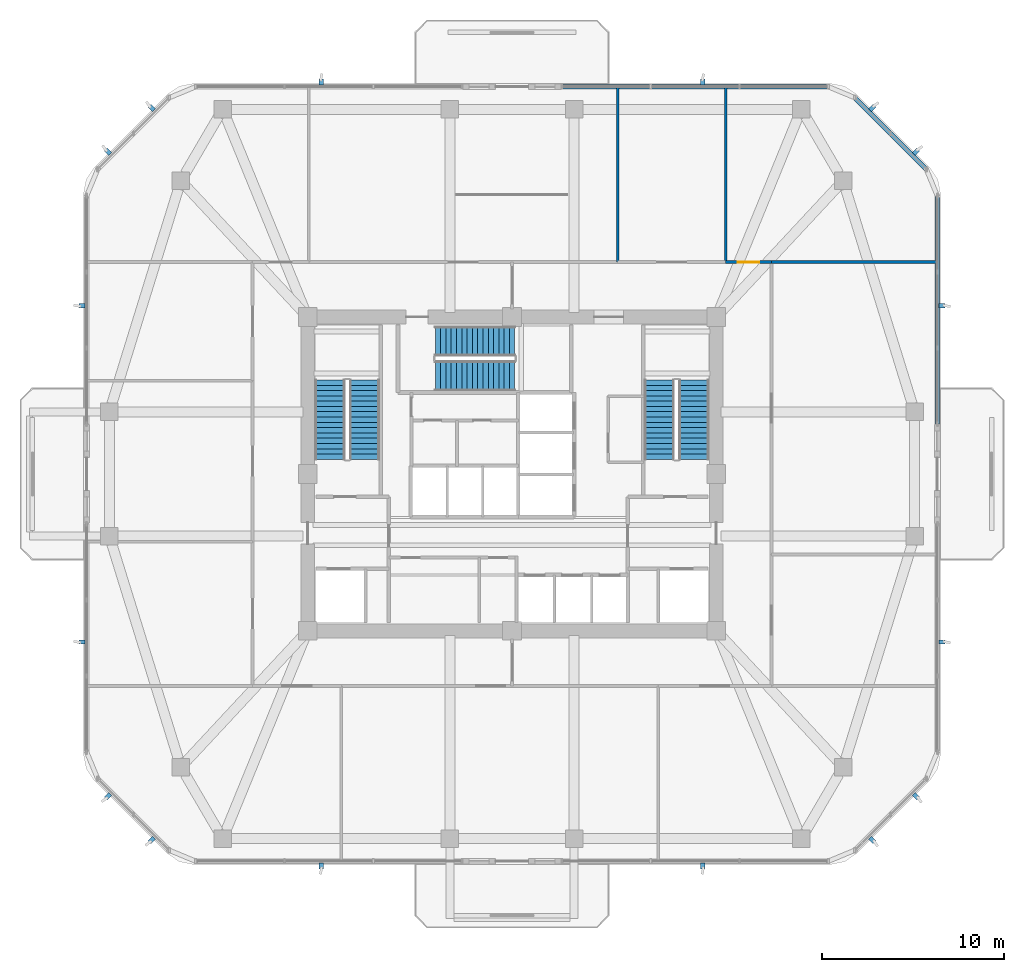
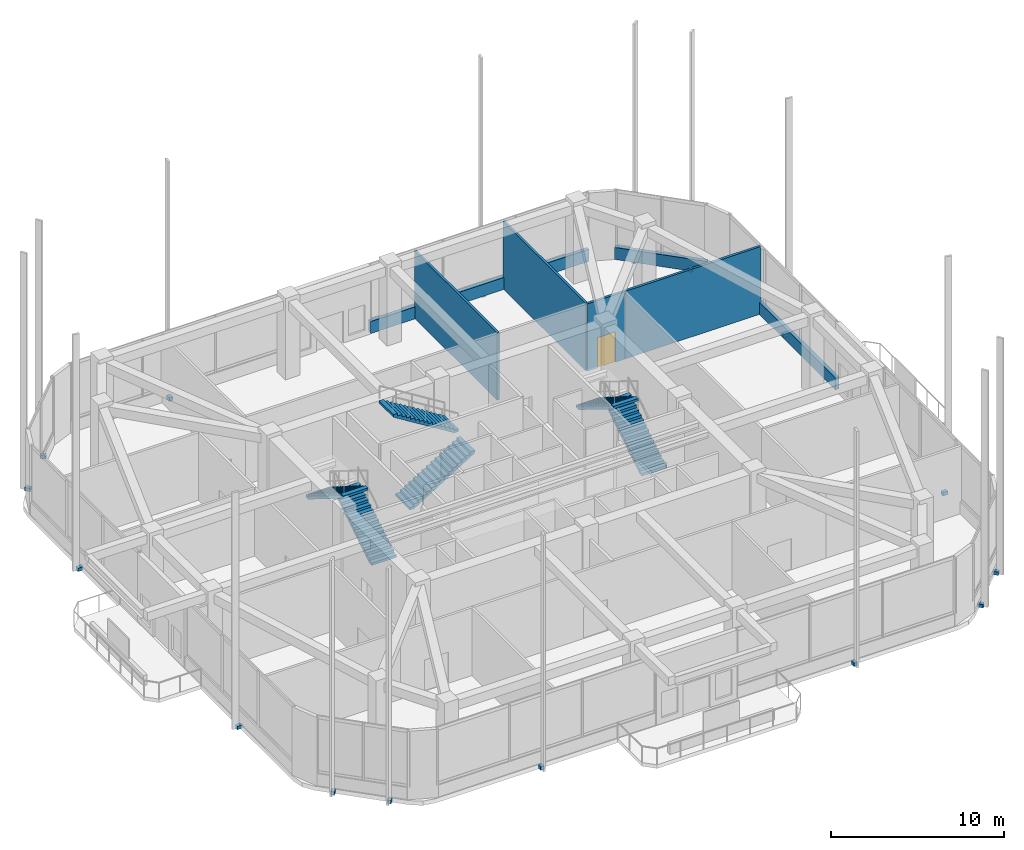
# One storey, part 9 of 12: 16 discrete accessories, 7 walls, 6 stair flights, 1 door, 1 opening, 3 elements without a shape of their own.
"""IFC4 building model written with IfcOpenShell, lengths in metres."""

from ifc_helpers import new_model, si_unit, derived_unit, direction, frame, frame_2d, origin, origin_2d, place, context, subcontext, project, spatial, polyline, rectangle, outline, extrude, material, layer, layer_set, type_object, element, fill, aggregate, save


model = new_model("IFC4")

# Units and contexts
model_context = context("Model", 3, precision=1e-05, world=origin(), true_north=direction((0.0, 1.0)))
body_context = subcontext(model_context, "Body", "Model", "MODEL_VIEW")
ifc_project = project(units=[si_unit("LENGTHUNIT", "METRE"), si_unit("AREAUNIT", "SQUARE_METRE"), si_unit("VOLUMEUNIT", "CUBIC_METRE"), si_unit("PLANEANGLEUNIT", "RADIAN"), si_unit("MASSUNIT", "GRAM", prefix="KILO"), derived_unit("THERMALTRANSMITTANCEUNIT", [(si_unit("POWERUNIT", "WATT"), 1), (si_unit("LENGTHUNIT", "METRE"), -2), (si_unit("THERMODYNAMICTEMPERATUREUNIT", "KELVIN"), -1)])], contexts=[model_context])

# Site, building, storey
site_placement = place(None, origin())
site = spatial("IfcSite", under=ifc_project, at=site_placement, CompositionType="ELEMENT")
building_placement = place(site_placement, origin())
building = spatial("IfcBuilding", under=site, at=building_placement, Name="Koralith Skygarden Medical Center", CompositionType="ELEMENT")
storey_placement = place(building_placement, frame((0.0, 0.0, 129.06005859375)))
storey = spatial("IfcBuildingStorey", under=building, at=storey_placement, Name="L33", CompositionType="ELEMENT", Elevation=129.06005859375)

# Walls
ifc_material_1 = material(Name="Gypsum Board Partition")
ifc_layer_1 = layer(ifc_material_1, 0.14990234375)
ifc_layer_set_1 = layer_set([ifc_layer_1], Name="Gypsum Board Partition")
wall_type_1 = type_object("IfcWallType", Name="Clinical Acoustic Partition 150", PredefinedType="PARTITIONING", material=ifc_layer_set_1)
for number, where, z_axis, x_axis, name in (
    (1, (42.7890625, 37.510009765625, 0.0), (0.0, 0.0, 1.0), (0.0, 1.0, 0.0), "L33 Clinical Acoustic Partition 150 W-AMPART-L33-N-2"),
    (2, (48.7099609375, 37.510009765625, 0.0), (0.0, 0.0, 1.0), (0.0, 1.0, 0.0), "L33 Clinical Acoustic Partition 150 W-AMPART-L33-N-3"),
):
    element("IfcWall", number, at=place(storey_placement, frame(where, z_axis=z_axis, x_axis=x_axis)), inside=storey, type_object=wall_type_1, Name=name, PredefinedType="PARTITIONING", context=body_context, shape_type="SweptSolid", body=[
        extrude(rectangle(XDim=9.590087890625, YDim=0.14990234375, at=frame_2d((4.794921875, 0.0))), origin(), (0.0, 0.0, 1.0), 4.77001953125),
    ])
ifc_layer_2 = layer(ifc_material_1, 0.1650390625)
ifc_layer_set_2 = layer_set([ifc_layer_2], Name="Gypsum Board Partition")
wall_type_2 = type_object("IfcWallType", Name="Clinical Corridor Partition 165", PredefinedType="PARTITIONING", material=ifc_layer_set_2)
wall_1_placement = place(storey_placement, frame((51.2099609375, 37.510009765625, 0.0), z_axis=(0.0, 0.0, 1.0), x_axis=(1.0, 0.0, 0.0)))
element("IfcWall", 3, at=wall_1_placement, inside=storey, type_object=wall_type_2, Name="L33 Clinical Corridor Partition 165 W-WB-L33-NE", PredefinedType="PARTITIONING", context=body_context, shape_type="SweptSolid", body=[
    extrude(rectangle(XDim=9.073974609375, YDim=0.1650390625, at=frame_2d((4.537109375, 0.0))), origin(), (0.0, 0.0, 1.0), 4.77001953125),
])

# Wall, opening, door
wall_2_placement = place(storey_placement, frame((48.7099609375, 37.510009765625, 0.0), z_axis=(0.0, 0.0, 1.0), x_axis=(1.0, 0.0, 0.0)))
wall_2 = element("IfcWall", 4, at=wall_2_placement, inside=storey, type_object=wall_type_2, Name="L33 Clinical Corridor Partition 165 W-AMCOR-L33-N-4", PredefinedType="PARTITIONING", context=body_context, shape_type="SweptSolid", body=[
    extrude(rectangle(XDim=2.5, YDim=0.1650390625, at=frame_2d((1.25, 0.0))), origin(), (0.0, 0.0, 1.0), 4.77001953125),
])
opening_placement = place(wall_2_placement, frame((0.64990234375, 0.0, 0.0)))
opening = element("IfcOpeningElement", 5, at=opening_placement, cuts=wall_2, Name="Opening D-CLN", PredefinedType="OPENING", context=body_context, shape_type="SweptSolid", body=[
    extrude(rectangle(XDim=1.199951171875, YDim=2.14990234375, at=frame_2d((0.60009765625, 1.074951171875))), frame((0.0, 0.092529296875, 0.0), z_axis=(0.0, -1.0, 0.0), x_axis=(1.0, 0.0, 0.0)), (0.0, 0.0, 1.0), 0.18505859375),
])
ifc_material_2 = material(Name="Aluminium 6063-T6", Category="aluminium")
door_type = type_object("IfcDoorType", Name="Clinical Corridor Door D-CLN 1200", OperationType="NOTDEFINED", PredefinedType="DOOR", material=ifc_material_2)
door_placement = place(opening_placement, origin())
door = element("IfcDoor", 6, at=door_placement, inside=storey, type_object=door_type, Name="L33 Hospitality Refreshment Pantry Door", OperationType="SINGLE_SWING_LEFT", OverallHeight=2.14990234375, OverallWidth=1.199951171875, PredefinedType="DOOR", context=body_context, shape_type="SweptSolid", body=[
    extrude(rectangle(XDim=1.199951171875, YDim=2.14990234375, at=frame_2d((0.60009765625, 1.074951171875))), frame((0.0, 0.02490234375, 0.0), z_axis=(0.0, -1.0, 0.0), x_axis=(1.0, 0.0, 0.0)), (0.0, 0.0, 1.0), 0.050048828125),
])
fill(opening, door)

# Walls
ifc_material_3 = material(Name="Warm Oolitic Limestone Cladding", Category="masonry")
ifc_layer_3 = layer(ifc_material_3, 0.239990234375)
ifc_layer_set_3 = layer_set([ifc_layer_3], Name="Warm Oolitic Limestone Cladding")
wall_type_3 = type_object("IfcWallType", Name="Limestone Spandrel Sill Backup Wall 240", PredefinedType="SOLIDWALL", material=ifc_layer_set_3)
wall_3_placement = place(storey_placement, frame((60.303955078125, 28.638916015625, 0.0), z_axis=(0.0, 0.0, 1.0), x_axis=(0.0, 1.0, 0.0)))
element("IfcWall", 7, at=wall_3_placement, inside=storey, type_object=wall_type_3, Name="L33 Sill Spandrel E-R", PredefinedType="SOLIDWALL", context=body_context, shape_type="SweptSolid", body=[
    extrude(rectangle(XDim=12.506103515625, YDim=0.239990234375, at=frame_2d((6.2529296875, 0.0))), origin(), (0.0, 0.0, 1.0), 0.849853515625),
])
wall_4_placement = place(storey_placement, frame((59.702880859375, 42.595947265625, 0.0), z_axis=(0.0, 0.0, 1.0), x_axis=(-0.707084777957, 0.707128783731, 0.0)))
element("IfcWall", 8, at=wall_4_placement, inside=storey, type_object=wall_type_3, Name="L33 Sill Spandrel NE", PredefinedType="SOLIDWALL", context=body_context, shape_type="SweptSolid", body=[
    extrude(rectangle(XDim=5.5478515625, YDim=0.239990234375, at=frame_2d((2.77392578125, 0.0))), origin(), (0.0, 0.0, 1.0), 0.849853515625),
])
wall_5_placement = place(storey_placement, frame((54.3291015625, 47.1201171875, 0.0), z_axis=(0.0, 0.0, 1.0), x_axis=(-1.0, 0.0, 0.0)))
element("IfcWall", 9, at=wall_5_placement, inside=storey, type_object=wall_type_3, Name="L33 Sill Spandrel N-L", PredefinedType="SOLIDWALL", context=body_context, shape_type="SweptSolid", body=[
    extrude(rectangle(XDim=14.588134765625, YDim=0.239990234375, at=frame_2d((7.2939453125, 0.0))), origin(), (0.0, 0.0, 1.0), 0.849853515625),
])

# Stair, stair flights
ifc_material_4 = material(Name="Concrete C45/55", Category="concrete")
stair_type = type_object("IfcStairType", Name="Core Exit Dogleg Concrete Stair", PredefinedType="HALF_TURN_STAIR", material=ifc_material_4)
stair_1_placement = place(storey_placement, origin())
stair_1 = element("IfcStair", 10, at=stair_1_placement, inside=storey, type_object=stair_type, Name="L33 Smokeproof Exit Stair ST1", PredefinedType="HALF_TURN_STAIR")
stair_flight_type = type_object("IfcStairFlightType", Name="Core Exit Concrete Stair Flight 1650", PredefinedType="STRAIGHT", material=ifc_material_4)
stair_flight_1_placement = place(storey_placement, frame((28.925048828125, 26.699951171875, 0.0), z_axis=(0.0, 0.0, 1.0), x_axis=(0.0, 1.0, 0.0)))
stair_flight_1 = element("IfcStairFlight", 11, at=stair_flight_1_placement, type_object=stair_flight_type, Name="ST1 flight 1", NumberOfRisers=16, NumberOfTreads=15, PredefinedType="STRAIGHT", RiserHeight=0.18, TreadLength=0.29, context=body_context, shape_type="SweptSolid", body=[
    extrude(outline(polyline([(0.0, 0.0), (0.0, 0.179931640625), (0.2900390625, 0.179931640625), (0.2900390625, 0.360107421875), (0.580078125, 0.360107421875), (0.580078125, 0.5400390625), (0.8701171875, 0.5400390625), (0.8701171875, 0.719970703125), (1.159912109375, 0.719970703125), (1.159912109375, 0.89990234375), (1.449951171875, 0.89990234375), (1.449951171875, 1.080078125), (1.739990234375, 1.080078125), (1.739990234375, 1.260009765625), (2.030029296875, 1.260009765625), (2.030029296875, 1.43994140625), (2.320068359375, 1.43994140625), (2.320068359375, 1.6201171875), (2.610107421875, 1.6201171875), (2.610107421875, 1.800048828125), (2.89990234375, 1.800048828125), (2.89990234375, 1.97998046875), (3.18994140625, 1.97998046875), (3.18994140625, 2.159912109375), (3.47998046875, 2.159912109375), (3.47998046875, 2.340087890625), (3.77001953125, 2.340087890625), (3.77001953125, 2.52001953125), (4.06005859375, 2.52001953125), (4.06005859375, 2.699951171875), (4.35009765625, 2.699951171875), (4.35009765625, 2.8798828125), (4.35009765625, 2.523681640625), (0.2841796875, 0.0), (0.0, 0.0)])), frame((0.0, 0.824951171875, 0.0), z_axis=(0.0, -1.0, 0.0), x_axis=(1.0, 0.0, 0.0)), (0.0, 0.0, 1.0), 1.64990234375),
])
stair_flight_2_placement = place(storey_placement, frame((27.02490234375, 31.050048828125, 2.8798828125), z_axis=(0.0, 0.0, 1.0), x_axis=(0.0, -1.0, 0.0)))
stair_flight_2 = element("IfcStairFlight", 12, at=stair_flight_2_placement, type_object=stair_flight_type, Name="ST1 flight 2", NumberOfRisers=16, NumberOfTreads=15, PredefinedType="STRAIGHT", RiserHeight=0.18, TreadLength=0.29, context=body_context, shape_type="SweptSolid", body=[
    extrude(outline(polyline([(0.0, 0.0), (0.0, 0.179931640625), (0.2900390625, 0.179931640625), (0.2900390625, 0.360107421875), (0.580078125, 0.360107421875), (0.580078125, 0.5400390625), (0.8701171875, 0.5400390625), (0.8701171875, 0.719970703125), (1.159912109375, 0.719970703125), (1.159912109375, 0.89990234375), (1.449951171875, 0.89990234375), (1.449951171875, 1.080078125), (1.739990234375, 1.080078125), (1.739990234375, 1.260009765625), (2.030029296875, 1.260009765625), (2.030029296875, 1.43994140625), (2.320068359375, 1.43994140625), (2.320068359375, 1.6201171875), (2.610107421875, 1.6201171875), (2.610107421875, 1.800048828125), (2.89990234375, 1.800048828125), (2.89990234375, 1.97998046875), (3.18994140625, 1.97998046875), (3.18994140625, 2.159912109375), (3.47998046875, 2.159912109375), (3.47998046875, 2.340087890625), (3.77001953125, 2.340087890625), (3.77001953125, 2.52001953125), (4.06005859375, 2.52001953125), (4.06005859375, 2.699951171875), (4.35009765625, 2.699951171875), (4.35009765625, 2.8798828125), (4.35009765625, 2.523681640625), (0.2841796875, 0.0), (0.0, 0.0)])), frame((0.0, 0.824951171875, 0.0), z_axis=(0.0, -1.0, 0.0), x_axis=(1.0, 0.0, 0.0)), (0.0, 0.0, 1.0), 1.64990234375),
])
aggregate(stair_1, [stair_flight_1, stair_flight_2])

stair_2_placement = place(storey_placement, origin())
stair_2 = element("IfcStair", 13, at=stair_2_placement, inside=storey, type_object=stair_type, Name="L33 Smokeproof Exit Stair ST2", PredefinedType="HALF_TURN_STAIR")
stair_flight_3_placement = place(storey_placement, frame((46.97509765625, 26.699951171875, 0.0), z_axis=(0.0, 0.0, 1.0), x_axis=(0.0, 1.0, 0.0)))
stair_flight_3 = element("IfcStairFlight", 14, at=stair_flight_3_placement, type_object=stair_flight_type, Name="ST2 flight 1", NumberOfRisers=16, NumberOfTreads=15, PredefinedType="STRAIGHT", RiserHeight=0.18, TreadLength=0.29, context=body_context, shape_type="SweptSolid", body=[
    extrude(outline(polyline([(0.0, 0.0), (0.0, 0.179931640625), (0.2900390625, 0.179931640625), (0.2900390625, 0.360107421875), (0.580078125, 0.360107421875), (0.580078125, 0.5400390625), (0.8701171875, 0.5400390625), (0.8701171875, 0.719970703125), (1.159912109375, 0.719970703125), (1.159912109375, 0.89990234375), (1.449951171875, 0.89990234375), (1.449951171875, 1.080078125), (1.739990234375, 1.080078125), (1.739990234375, 1.260009765625), (2.030029296875, 1.260009765625), (2.030029296875, 1.43994140625), (2.320068359375, 1.43994140625), (2.320068359375, 1.6201171875), (2.610107421875, 1.6201171875), (2.610107421875, 1.800048828125), (2.89990234375, 1.800048828125), (2.89990234375, 1.97998046875), (3.18994140625, 1.97998046875), (3.18994140625, 2.159912109375), (3.47998046875, 2.159912109375), (3.47998046875, 2.340087890625), (3.77001953125, 2.340087890625), (3.77001953125, 2.52001953125), (4.06005859375, 2.52001953125), (4.06005859375, 2.699951171875), (4.35009765625, 2.699951171875), (4.35009765625, 2.8798828125), (4.35009765625, 2.523681640625), (0.2841796875, 0.0), (0.0, 0.0)])), frame((0.0, 0.824951171875, 0.0), z_axis=(0.0, -1.0, 0.0), x_axis=(1.0, 0.0, 0.0)), (0.0, 0.0, 1.0), 1.64990234375),
])
stair_flight_4_placement = place(storey_placement, frame((45.074951171875, 31.050048828125, 2.8798828125), z_axis=(0.0, 0.0, 1.0), x_axis=(0.0, -1.0, 0.0)))
stair_flight_4 = element("IfcStairFlight", 15, at=stair_flight_4_placement, type_object=stair_flight_type, Name="ST2 flight 2", NumberOfRisers=16, NumberOfTreads=15, PredefinedType="STRAIGHT", RiserHeight=0.18, TreadLength=0.29, context=body_context, shape_type="SweptSolid", body=[
    extrude(outline(polyline([(0.0, 0.0), (0.0, 0.179931640625), (0.2900390625, 0.179931640625), (0.2900390625, 0.360107421875), (0.580078125, 0.360107421875), (0.580078125, 0.5400390625), (0.8701171875, 0.5400390625), (0.8701171875, 0.719970703125), (1.159912109375, 0.719970703125), (1.159912109375, 0.89990234375), (1.449951171875, 0.89990234375), (1.449951171875, 1.080078125), (1.739990234375, 1.080078125), (1.739990234375, 1.260009765625), (2.030029296875, 1.260009765625), (2.030029296875, 1.43994140625), (2.320068359375, 1.43994140625), (2.320068359375, 1.6201171875), (2.610107421875, 1.6201171875), (2.610107421875, 1.800048828125), (2.89990234375, 1.800048828125), (2.89990234375, 1.97998046875), (3.18994140625, 1.97998046875), (3.18994140625, 2.159912109375), (3.47998046875, 2.159912109375), (3.47998046875, 2.340087890625), (3.77001953125, 2.340087890625), (3.77001953125, 2.52001953125), (4.06005859375, 2.52001953125), (4.06005859375, 2.699951171875), (4.35009765625, 2.699951171875), (4.35009765625, 2.8798828125), (4.35009765625, 2.523681640625), (0.2841796875, 0.0), (0.0, 0.0)])), frame((0.0, 0.824951171875, 0.0), z_axis=(0.0, -1.0, 0.0), x_axis=(1.0, 0.0, 0.0)), (0.0, 0.0, 1.0), 1.64990234375),
])
aggregate(stair_2, [stair_flight_3, stair_flight_4])

stair_3_placement = place(storey_placement, origin())
stair_3 = element("IfcStair", 16, at=stair_3_placement, inside=storey, type_object=stair_type, Name="L33 Smokeproof Exit Stair ST3", PredefinedType="HALF_TURN_STAIR")
stair_flight_5_placement = place(storey_placement, frame((32.800048828125, 31.27490234375, 0.0), z_axis=(0.0, 0.0, 1.0), x_axis=(1.0, 0.0, 0.0)))
stair_flight_5 = element("IfcStairFlight", 17, at=stair_flight_5_placement, type_object=stair_flight_type, Name="ST3 flight 1", NumberOfRisers=16, NumberOfTreads=15, PredefinedType="STRAIGHT", RiserHeight=0.18, TreadLength=0.29, context=body_context, shape_type="SweptSolid", body=[
    extrude(outline(polyline([(0.0, 0.0), (0.0, 0.179931640625), (0.2900390625, 0.179931640625), (0.2900390625, 0.360107421875), (0.580078125, 0.360107421875), (0.580078125, 0.5400390625), (0.8701171875, 0.5400390625), (0.8701171875, 0.719970703125), (1.159912109375, 0.719970703125), (1.159912109375, 0.89990234375), (1.449951171875, 0.89990234375), (1.449951171875, 1.080078125), (1.739990234375, 1.080078125), (1.739990234375, 1.260009765625), (2.030029296875, 1.260009765625), (2.030029296875, 1.43994140625), (2.320068359375, 1.43994140625), (2.320068359375, 1.6201171875), (2.610107421875, 1.6201171875), (2.610107421875, 1.800048828125), (2.89990234375, 1.800048828125), (2.89990234375, 1.97998046875), (3.18994140625, 1.97998046875), (3.18994140625, 2.159912109375), (3.47998046875, 2.159912109375), (3.47998046875, 2.340087890625), (3.77001953125, 2.340087890625), (3.77001953125, 2.52001953125), (4.06005859375, 2.52001953125), (4.06005859375, 2.699951171875), (4.35009765625, 2.699951171875), (4.35009765625, 2.8798828125), (4.35009765625, 2.523681640625), (0.2841796875, 0.0), (0.0, 0.0)])), frame((0.0, 0.824951171875, 0.0), z_axis=(0.0, -1.0, 0.0), x_axis=(1.0, 0.0, 0.0)), (0.0, 0.0, 1.0), 1.64990234375),
])
stair_flight_6_placement = place(storey_placement, frame((37.14990234375, 33.175048828125, 2.8798828125), z_axis=(0.0, 0.0, 1.0), x_axis=(-1.0, 0.0, 0.0)))
stair_flight_6 = element("IfcStairFlight", 18, at=stair_flight_6_placement, type_object=stair_flight_type, Name="ST3 flight 2", NumberOfRisers=16, NumberOfTreads=15, PredefinedType="STRAIGHT", RiserHeight=0.18, TreadLength=0.29, context=body_context, shape_type="SweptSolid", body=[
    extrude(outline(polyline([(0.0, 0.0), (0.0, 0.179931640625), (0.2900390625, 0.179931640625), (0.2900390625, 0.360107421875), (0.580078125, 0.360107421875), (0.580078125, 0.5400390625), (0.8701171875, 0.5400390625), (0.8701171875, 0.719970703125), (1.159912109375, 0.719970703125), (1.159912109375, 0.89990234375), (1.449951171875, 0.89990234375), (1.449951171875, 1.080078125), (1.739990234375, 1.080078125), (1.739990234375, 1.260009765625), (2.030029296875, 1.260009765625), (2.030029296875, 1.43994140625), (2.320068359375, 1.43994140625), (2.320068359375, 1.6201171875), (2.610107421875, 1.6201171875), (2.610107421875, 1.800048828125), (2.89990234375, 1.800048828125), (2.89990234375, 1.97998046875), (3.18994140625, 1.97998046875), (3.18994140625, 2.159912109375), (3.47998046875, 2.159912109375), (3.47998046875, 2.340087890625), (3.77001953125, 2.340087890625), (3.77001953125, 2.52001953125), (4.06005859375, 2.52001953125), (4.06005859375, 2.699951171875), (4.35009765625, 2.699951171875), (4.35009765625, 2.8798828125), (4.35009765625, 2.523681640625), (0.2841796875, 0.0), (0.0, 0.0)])), frame((0.0, 0.824951171875, 0.0), z_axis=(0.0, -1.0, 0.0), x_axis=(1.0, 0.0, 0.0)), (0.0, 0.0, 1.0), 1.64990234375),
])
aggregate(stair_3, [stair_flight_5, stair_flight_6])

# Discrete accessories
ifc_material_5 = material(Name="Steel ASTM A572 Grade 50", Category="steel")
discrete_accessory_type = type_object("IfcDiscreteAccessoryType", Name="Facade Fin Structural Anchor Bracket", PredefinedType="BRACKET", material=ifc_material_5)
for number, where, z_axis, x_axis, name in (
    (19, (26.5400390625, 4.419921875, -0.26025390625), (0.0, 0.0, 1.0), (0.0, -1.0, 0.0), "L33 S Solar Fin Anchor Bracket 1"),
    (20, (47.4599609375, 4.419921875, -0.26025390625), (0.0, 0.0, 1.0), (0.0, -1.0, 0.0), "L33 S Solar Fin Anchor Bracket 2"),
    (21, (56.741943359375, 5.843994140625, -0.26025390625), (0.0, 0.0, 1.0), (0.707106781187, -0.707106781187, 0.0), "L33 SE Solar Fin Anchor Bracket 1"),
    (22, (59.139892578125, 8.241943359375, -0.26025390625), (0.0, 0.0, 1.0), (0.707106781187, -0.707106781187, 0.0), "L33 SE Solar Fin Anchor Bracket 2"),
    (23, (60.56396484375, 16.68994140625, -0.26025390625), (0.0, 0.0, 1.0), (1.0, 0.0, 0.0), "L33 E Solar Fin Anchor Bracket 1"),
    (24, (60.56396484375, 35.110107421875, -0.26025390625), (0.0, 0.0, 1.0), (1.0, 0.0, 0.0), "L33 E Solar Fin Anchor Bracket 2"),
    (25, (59.139892578125, 43.55810546875, -0.26025390625), (0.0, 0.0, 1.0), (0.707106781187, 0.707106781187, 0.0), "L33 NE Solar Fin Anchor Bracket 1"),
    (26, (56.741943359375, 45.9560546875, -0.26025390625), (0.0, 0.0, 1.0), (0.707106781187, 0.707106781187, 0.0), "L33 NE Solar Fin Anchor Bracket 2"),
    (27, (47.4599609375, 47.3798828125, -0.26025390625), (0.0, 0.0, 1.0), (0.0, 1.0, 0.0), "L33 N Solar Fin Anchor Bracket 1"),
    (28, (26.5400390625, 47.3798828125, -0.26025390625), (0.0, 0.0, 1.0), (0.0, 1.0, 0.0), "L33 N Solar Fin Anchor Bracket 2"),
    (29, (17.258056640625, 45.9560546875, -0.26025390625), (0.0, 0.0, 1.0), (-0.707106781187, 0.707106781187, 0.0), "L33 NW Solar Fin Anchor Bracket 1"),
    (30, (14.860107421875, 43.55810546875, -0.26025390625), (0.0, 0.0, 1.0), (-0.707106781187, 0.707106781187, 0.0), "L33 NW Solar Fin Anchor Bracket 2"),
    (31, (13.43603515625, 35.110107421875, -0.26025390625), (0.0, 0.0, 1.0), (-1.0, 0.0, 0.0), "L33 W Solar Fin Anchor Bracket 1"),
    (32, (13.43603515625, 16.68994140625, -0.26025390625), (0.0, 0.0, 1.0), (-1.0, 0.0, 0.0), "L33 W Solar Fin Anchor Bracket 2"),
    (33, (14.860107421875, 8.241943359375, -0.26025390625), (0.0, 0.0, 1.0), (-0.707106781187, -0.707106781187, 0.0), "L33 SW Solar Fin Anchor Bracket 1"),
    (34, (17.258056640625, 5.843994140625, -0.26025390625), (0.0, 0.0, 1.0), (-0.707106781187, -0.707106781187, 0.0), "L33 SW Solar Fin Anchor Bracket 2"),
):
    element("IfcDiscreteAccessory", number, at=place(storey_placement, frame(where, z_axis=z_axis, x_axis=x_axis)), inside=storey, type_object=discrete_accessory_type, Name=name, PredefinedType="BRACKET", context=body_context, shape_type="SweptSolid", body=[
        extrude(rectangle(XDim=0.340087890625, YDim=0.239990234375, at=origin_2d()), origin(), (0.0, 0.0, 1.0), 0.239990234375),
    ])

save(model, "model.ifc")
